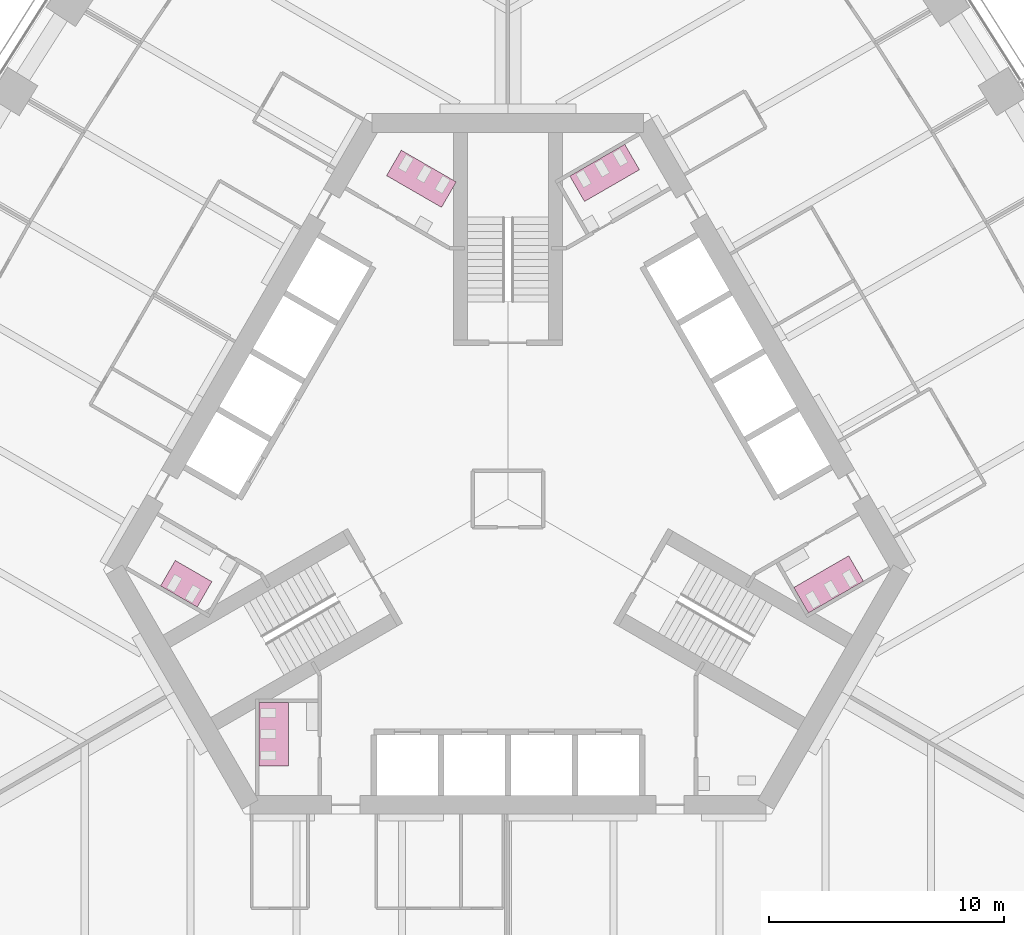
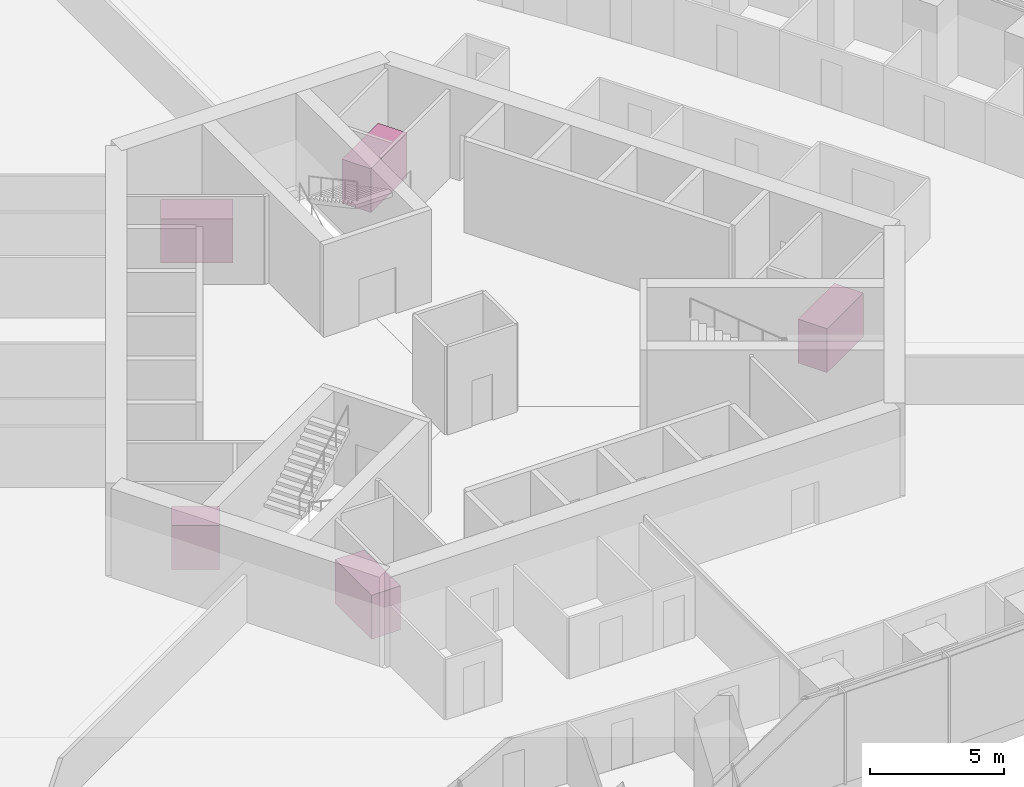
# One storey, part 19 of 19: 5 furniture elements.
"""IFC4 building model written with IfcOpenShell, lengths in metres."""

from ifc_helpers import new_model, si_unit, direction, frame, origin, place, context, subcontext, project, spatial, polyline, outline, extrude, material, type_object, element, save


model = new_model("IFC4")

# Units and contexts
model_context = context("Model", 3, precision=1e-05, world=origin(), true_north=direction((0.0, 1.0)))
body_context = subcontext(model_context, "Body", "Model", "MODEL_VIEW")
ifc_project = project(units=[si_unit("LENGTHUNIT", "METRE"), si_unit("AREAUNIT", "SQUARE_METRE"), si_unit("VOLUMEUNIT", "CUBIC_METRE"), si_unit("PLANEANGLEUNIT", "RADIAN"), si_unit("MASSUNIT", "GRAM", prefix="KILO")], contexts=[model_context])

# Site, building, storey
site_placement = place(None, origin())
site = spatial("IfcSite", under=ifc_project, at=site_placement, CompositionType="ELEMENT")
building_placement = place(site_placement, origin())
building = spatial("IfcBuilding", under=site, at=building_placement, Name="Trefoil Bronze Tower", CompositionType="ELEMENT")
storey_placement = place(building_placement, frame((0.0, 0.0, 16.5)))
storey = spatial("IfcBuildingStorey", under=building, at=storey_placement, Name="L03", CompositionType="ELEMENT", Elevation=16.5)

# Furniture
ifc_material_1 = material(Name="Compact laminate cubicles", Category="plastic")
furniture_type_1 = type_object("IfcFurnitureType", Name="WC cubicle range 2 cubicles", AssemblyPlace="FACTORY", PredefinedType="USERDEFINED", material=ifc_material_1)
furniture_1_placement = place(storey_placement, origin())
element("IfcFurniture", 1, at=furniture_1_placement, inside=storey, type_object=furniture_type_1, Name="WC cubicle range WC (men) L03", ObjectType="WC cubicle range", PredefinedType="USERDEFINED", context=body_context, shape_type="SweptSolid", body=[
    extrude(outline(polyline([(-12.591552734375, -3.50927734375), (-13.216552734375, -4.591796875), (-14.775390625, -3.69189453125), (-14.150390625, -2.609375), (-12.591552734375, -3.50927734375)])), origin(), (0.0, 0.0, 1.0), 2.0),
])
ifc_material_2 = material(Name="Compact laminate cubicles", Category="plastic")
furniture_type_2 = type_object("IfcFurnitureType", Name="WC cubicle range 3 cubicles", AssemblyPlace="FACTORY", PredefinedType="USERDEFINED", material=ifc_material_2)
furniture_2_placement = place(storey_placement, origin())
element("IfcFurniture", 2, at=furniture_2_placement, inside=storey, type_object=furniture_type_2, Name="WC cubicle range WC (women) L03", ObjectType="WC cubicle range", PredefinedType="USERDEFINED", context=body_context, shape_type="SweptSolid", body=[
    extrude(outline(polyline([(12.15869140625, -3.75927734375), (12.78369140625, -4.841796875), (15.121826171875, -3.491943359375), (14.496826171875, -2.409423828125), (12.15869140625, -3.75927734375)])), origin(), (0.0, 0.0, 1.0), 2.0),
])
furniture_3_placement = place(storey_placement, origin())
element("IfcFurniture", 3, at=furniture_3_placement, inside=storey, type_object=furniture_type_2, Name="WC cubicle range WC (men) L03", ObjectType="WC cubicle range", PredefinedType="USERDEFINED", context=body_context, shape_type="SweptSolid", body=[
    extrude(outline(polyline([(3.256591796875, 12.659423828125), (2.631591796875, 13.741943359375), (4.969970703125, 15.091796875), (5.594970703125, 14.00927734375), (3.256591796875, 12.659423828125)])), origin(), (0.0, 0.0, 1.0), 2.0),
])
furniture_4_placement = place(storey_placement, origin())
element("IfcFurniture", 4, at=furniture_4_placement, inside=storey, type_object=furniture_type_2, Name="WC cubicle range WC (women) L03", ObjectType="WC cubicle range", PredefinedType="USERDEFINED", context=body_context, shape_type="SweptSolid", body=[
    extrude(outline(polyline([(-2.82373046875, 12.409423828125), (-2.19873046875, 13.491943359375), (-4.536865234375, 14.841796875), (-5.161865234375, 13.75927734375), (-2.82373046875, 12.409423828125)])), origin(), (0.0, 0.0, 1.0), 2.0),
])
furniture_5_placement = place(storey_placement, origin())
element("IfcFurniture", 5, at=furniture_5_placement, inside=storey, type_object=furniture_type_2, Name="WC cubicle range WC (women) L03", ObjectType="WC cubicle range", PredefinedType="USERDEFINED", context=body_context, shape_type="SweptSolid", body=[
    extrude(outline(polyline([(-9.3349609375, -8.64990234375), (-10.5849609375, -8.64990234375), (-10.5849609375, -11.35009765625), (-9.3349609375, -11.35009765625), (-9.3349609375, -8.64990234375)])), origin(), (0.0, 0.0, 1.0), 2.0),
])

save(model, "model.ifc")
